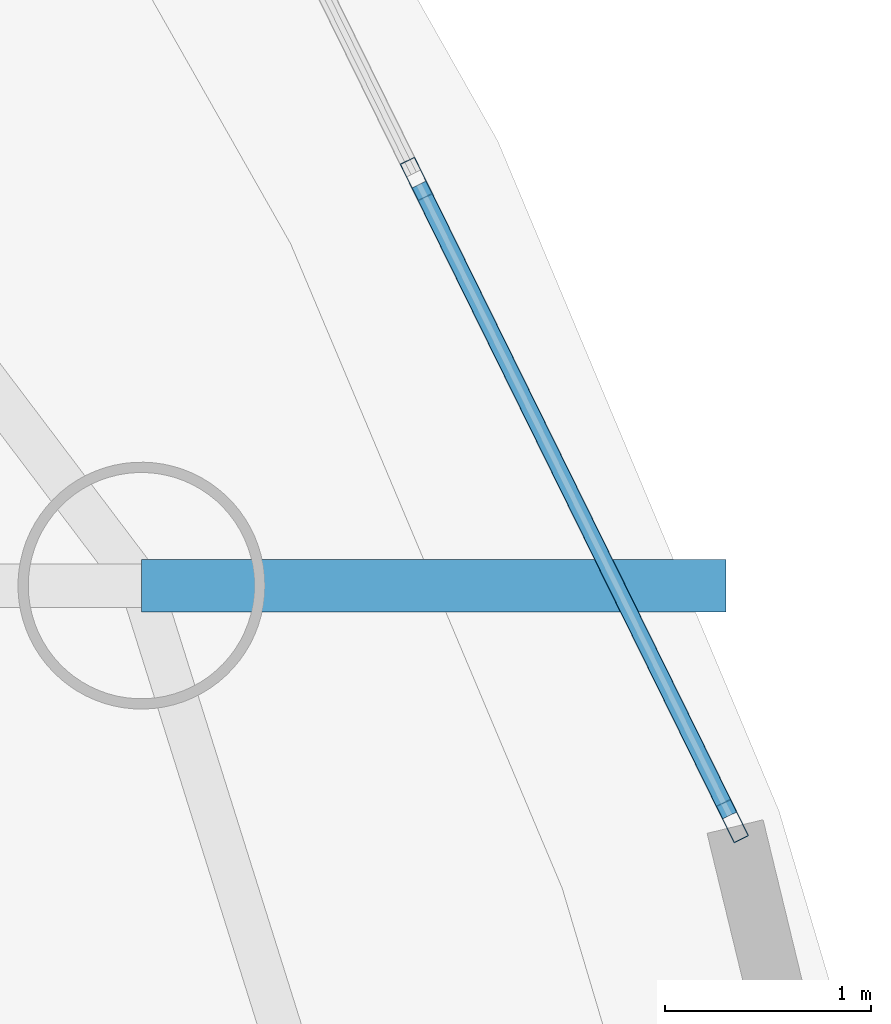
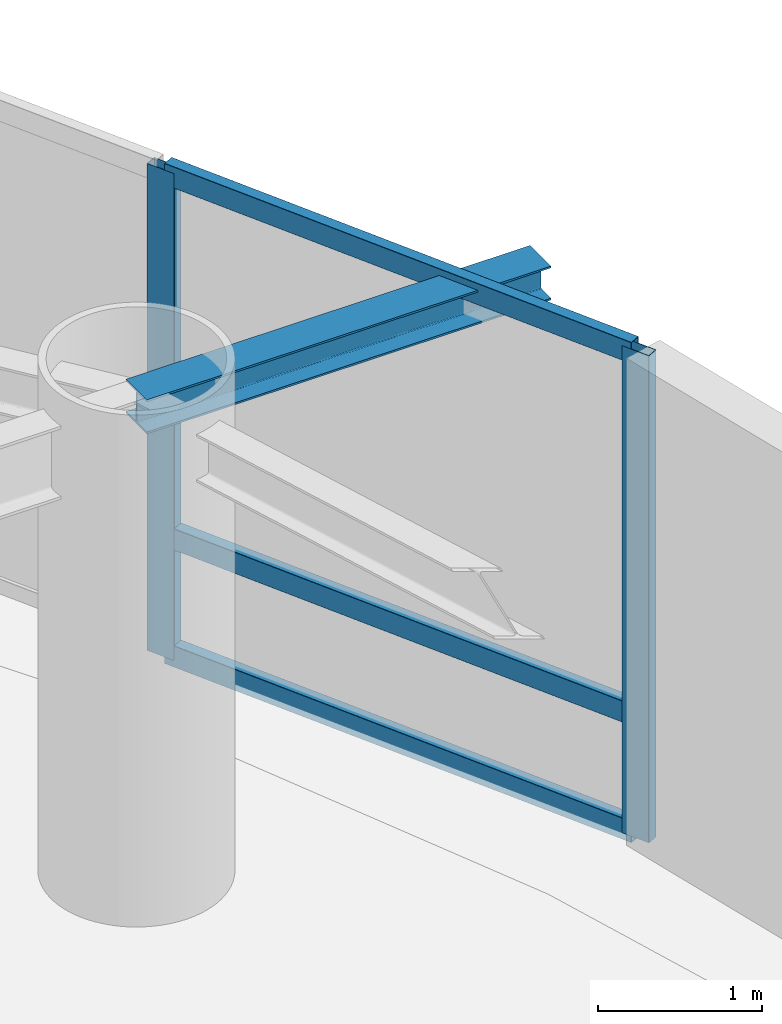
# One storey, part 8 of 19: 5 members, 1 beam, 1 element without a shape of its own.
"""IFC4 building model written with IfcOpenShell, lengths in metres."""

from ifc_helpers import new_model, si_unit, direction, frame, origin, origin_2d, place, context, subcontext, project, spatial, hollow_rectangle, i_section, extrude, material, layer, layer_set, material_profile, profile_set, type_object, element, aggregate, save


model = new_model("IFC4")

# Units and contexts
model_context = context("Model", 3, precision=1e-05, world=origin(), true_north=direction((0.0, 1.0)))
body_context = subcontext(model_context, "Body", "Model", "MODEL_VIEW")
ifc_project = project(units=[si_unit("LENGTHUNIT", "METRE"), si_unit("AREAUNIT", "SQUARE_METRE"), si_unit("VOLUMEUNIT", "CUBIC_METRE"), si_unit("PLANEANGLEUNIT", "RADIAN"), si_unit("MASSUNIT", "GRAM", prefix="KILO")], contexts=[model_context])

# Site, building, storey
site_placement = place(None, origin())
site = spatial("IfcSite", under=ifc_project, at=site_placement, CompositionType="ELEMENT")
building_placement = place(site_placement, origin())
building = spatial("IfcBuilding", under=site, at=building_placement, Name="Bramvorn Convention Spire", CompositionType="ELEMENT")
storey_placement = place(building_placement, frame((0.0, 0.0, 198.14990234375)))
storey = spatial("IfcBuildingStorey", under=building, at=storey_placement, Name="L50", CompositionType="ELEMENT", Elevation=198.14990234375)

# Beam
ifc_material_1 = material(Name="Steel CSA G40.21 Grade 350 (350W)", Category="steel")
ifc_material_profile_1 = material_profile(ifc_material_1, i_section(OverallWidth=0.25390625, OverallDepth=0.2529296875, WebThickness=0.008544921875, FlangeThickness=0.01416015625, FilletRadius=0.011962890625, at=origin_2d()))
ifc_profile_set_1 = profile_set([ifc_material_profile_1], Name="Steel CSA G40.21 Grade 350 (350W) - W250X73")
beam_type = type_object("IfcBeamType", Name="BM-W250X73", PredefinedType="BEAM", material=ifc_profile_set_1)
beam_placement = place(storey_placement, frame((56.21044921875, 32.327392578125, 3.49365234375), z_axis=(1.0, 0.0, 0.0), x_axis=(0.0, 1.0, 0.0)))
element("IfcBeam", 1, at=beam_placement, inside=storey, type_object=beam_type, Name="L50 slab-edge cantilever tip beam MC04", PredefinedType="BEAM", context=body_context, shape_type="SweptSolid", body=[
    extrude(i_section(OverallWidth=0.25390625, OverallDepth=0.2529296875, WebThickness=0.008544921875, FlangeThickness=0.01416015625, FilletRadius=0.011962890625, at=origin_2d()), origin(), (0.0, 0.0, 1.0), 2.84130859375),
])

# Curtain wall, members
ifc_material_2 = material(Name="Anodised Bronze Unitised Curtain Wall", Category="aluminium")
ifc_layer = layer(ifc_material_2, 0.179931640625)
ifc_layer_set = layer_set([ifc_layer], Name="Anodised Bronze Unitised Curtain Wall - CW-OFF-FRIT")
curtain_wall_type = type_object("IfcCurtainWallType", Name="CW-OFF-FRIT", PredefinedType="USERDEFINED", material=ifc_layer_set)
curtain_wall_placement = place(storey_placement, origin())
curtain_wall = element("IfcCurtainWall", 2, at=curtain_wall_placement, inside=storey, type_object=curtain_wall_type, Name="L50 fritted glass curtain wall 05", ObjectType="UNITISED CURTAIN WALL", PredefinedType="USERDEFINED")
ifc_material_3 = material(Name="Anodised Bronze Aluminium 6063-T6", Category="aluminium")
ifc_material_profile_2 = material_profile(ifc_material_3, hollow_rectangle(XDim=0.080078125, YDim=0.199951171875, WallThickness=0.00390625, InnerFilletRadius=0.0009765625, OuterFilletRadius=0.00390625, at=origin_2d()))
ifc_profile_set_2 = profile_set([ifc_material_profile_2], Name="Anodised Bronze Aluminium 6063-T6 - CWM80X200")
member_type_1 = type_object("IfcMemberType", Name="CW-MUL-180", PredefinedType="MULLION", material=ifc_profile_set_2)
member_1_placement = place(storey_placement, frame((57.546630859375, 34.30419921875, 0.0), z_axis=(0.0, 0.0, 1.0), x_axis=(0.897188658039, 0.441647497316, 0.0)))
member_1 = element("IfcMember", 3, at=member_1_placement, type_object=member_type_1, Name="CW3 mullion 2", PredefinedType="MULLION", context=body_context, shape_type="SweptSolid", body=[
    extrude(hollow_rectangle(XDim=0.080078125, YDim=0.199951171875, WallThickness=0.00390625, InnerFilletRadius=0.0009765625, OuterFilletRadius=0.00390625, at=origin_2d()), origin(), (0.0, 0.0, 1.0), 3.6201171875),
])
member_2_placement = place(storey_placement, frame((59.0830078125, 31.18310546875, 0.0), z_axis=(0.0, 0.0, 1.0), x_axis=(0.897188658039, 0.441647497316, 0.0)))
member_2 = element("IfcMember", 4, at=member_2_placement, type_object=member_type_1, Name="CW3 mullion 3", PredefinedType="MULLION", context=body_context, shape_type="SweptSolid", body=[
    extrude(hollow_rectangle(XDim=0.080078125, YDim=0.199951171875, WallThickness=0.00390625, InnerFilletRadius=0.0009765625, OuterFilletRadius=0.00390625, at=origin_2d()), origin(), (0.0, 0.0, 1.0), 3.6201171875),
])
ifc_material_profile_3 = material_profile(ifc_material_3, hollow_rectangle(XDim=0.080078125, YDim=0.159912109375, WallThickness=0.00390625, InnerFilletRadius=0.0009765625, OuterFilletRadius=0.00390625, at=origin_2d()))
ifc_profile_set_3 = profile_set([ifc_material_profile_3], Name="Anodised Bronze Aluminium 6063-T6 - CWT80X160")
member_type_2 = type_object("IfcMemberType", Name="CW-TRN-150", PredefinedType="USERDEFINED", material=ifc_profile_set_3)
member_3_placement = place(storey_placement, frame((57.559814453125, 34.27734375, 0.030029296875), z_axis=(0.441663686622, -0.897180688557, 0.0), x_axis=(0.897180688557, 0.441663686622, 0.0)))
member_3 = element("IfcMember", 5, at=member_3_placement, type_object=member_type_2, Name="CW3 transom 2.1", ObjectType="TRANSOM", PredefinedType="USERDEFINED", context=body_context, shape_type="SweptSolid", body=[
    extrude(hollow_rectangle(XDim=0.080078125, YDim=0.159912109375, WallThickness=0.00390625, InnerFilletRadius=0.0009765625, OuterFilletRadius=0.00390625, at=origin_2d()), origin(), (0.0, 0.0, 1.0), 3.4189453125),
])
member_4_placement = place(storey_placement, frame((57.559814453125, 34.27734375, 0.900146484375), z_axis=(0.441663686622, -0.897180688557, 0.0), x_axis=(0.897180688557, 0.441663686622, 0.0)))
member_4 = element("IfcMember", 6, at=member_4_placement, type_object=member_type_2, Name="CW3 transom 2.2", ObjectType="TRANSOM", PredefinedType="USERDEFINED", context=body_context, shape_type="SweptSolid", body=[
    extrude(hollow_rectangle(XDim=0.080078125, YDim=0.159912109375, WallThickness=0.00390625, InnerFilletRadius=0.0009765625, OuterFilletRadius=0.00390625, at=origin_2d()), origin(), (0.0, 0.0, 1.0), 3.4189453125),
])
member_5_placement = place(storey_placement, frame((57.559814453125, 34.27734375, 3.590087890625), z_axis=(0.441663686622, -0.897180688557, 0.0), x_axis=(0.897180688557, 0.441663686622, 0.0)))
member_5 = element("IfcMember", 7, at=member_5_placement, type_object=member_type_2, Name="CW3 transom 2.3", ObjectType="TRANSOM", PredefinedType="USERDEFINED", context=body_context, shape_type="SweptSolid", body=[
    extrude(hollow_rectangle(XDim=0.080078125, YDim=0.159912109375, WallThickness=0.00390625, InnerFilletRadius=0.0009765625, OuterFilletRadius=0.00390625, at=origin_2d()), origin(), (0.0, 0.0, 1.0), 3.4189453125),
])
aggregate(curtain_wall, [member_1, member_2, member_3, member_4, member_5])

save(model, "model.ifc")
